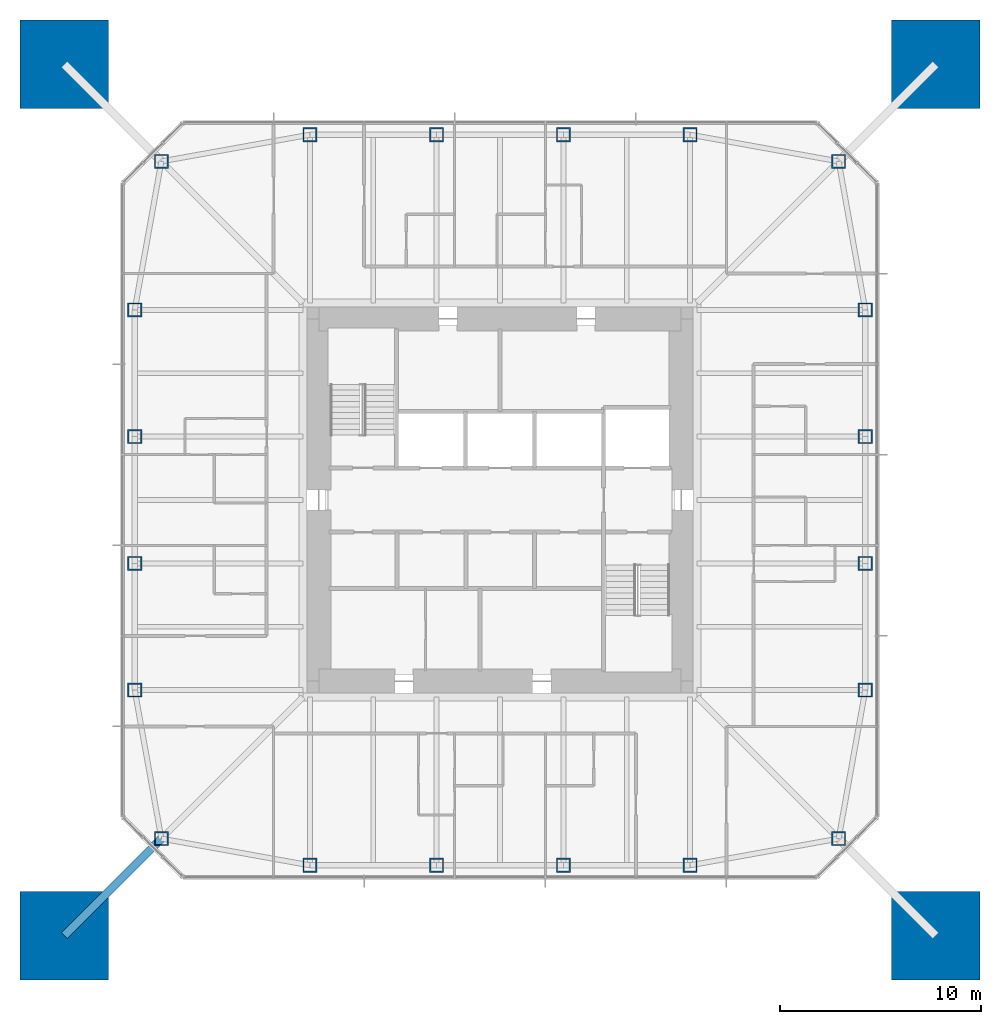
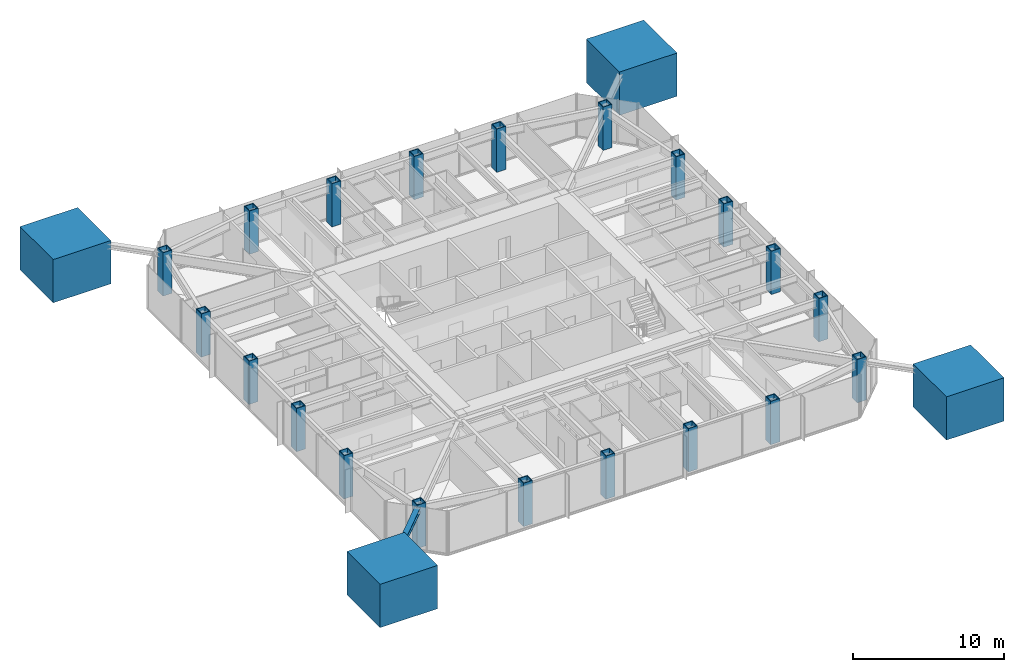
# One storey, part 1 of 11: 24 columns, 1 member.
"""IFC4 building model written with IfcOpenShell, lengths in metres."""

from ifc_helpers import new_model, si_unit, direction, frame, origin, origin_2d, place, context, subcontext, project, spatial, rectangle, hollow_rectangle, i_section, extrude, material, material_profile, profile_set, type_object, element, save


model = new_model("IFC4")

# Units and contexts
model_context = context("Model", 3, precision=1e-05, world=origin(), true_north=direction((0.0, 1.0)))
body_context = subcontext(model_context, "Body", "Model", "MODEL_VIEW")
ifc_project = project(units=[si_unit("LENGTHUNIT", "METRE"), si_unit("AREAUNIT", "SQUARE_METRE"), si_unit("VOLUMEUNIT", "CUBIC_METRE"), si_unit("PLANEANGLEUNIT", "RADIAN"), si_unit("MASSUNIT", "GRAM", prefix="KILO")], contexts=[model_context])

# Site, building, storey
site_placement = place(None, origin())
site = spatial("IfcSite", under=ifc_project, at=site_placement, CompositionType="ELEMENT")
building_placement = place(site_placement, origin())
building = spatial("IfcBuilding", under=site, at=building_placement, Name="Iwan Alto Co-Living Towers", CompositionType="ELEMENT")
storey_placement = place(building_placement, frame((0.0, 0.0, 170.5)))
storey = spatial("IfcBuildingStorey", under=building, at=storey_placement, Name="L46", CompositionType="ELEMENT", Elevation=170.5)

# Columns
ifc_material_1 = material(Name="Concrete f'c 70 MPa", Category="concrete")
ifc_material_profile_1 = material_profile(ifc_material_1, rectangle(XDim=4.39990234375, YDim=4.39990234375, at=origin_2d()), Name="RC 4400X4400")
ifc_profile_set_1 = profile_set([ifc_material_profile_1], Name="Concrete f'c 70 MPa")
column_type_1 = type_object("IfcColumnType", Name="T1 MEGA COLUMN RC 4400X4400", PredefinedType="COLUMN", material=ifc_profile_set_1)
for number, where, z_axis, x_axis, name in (
    (1, (-21.64990234375, -21.64990234375, 0.0), (0.0, 0.0, 1.0), (1.0, 0.0, 0.0), "T1 mega column SW L46"),
    (2, (21.64990234375, -21.64990234375, 0.0), (0.0, 0.0, 1.0), (1.0, 0.0, 0.0), "T1 mega column SE L46"),
    (3, (21.64990234375, 21.64990234375, 0.0), (0.0, 0.0, 1.0), (1.0, 0.0, 0.0), "T1 mega column NE L46"),
    (4, (-21.64990234375, 21.64990234375, 0.0), (0.0, 0.0, 1.0), (1.0, 0.0, 0.0), "T1 mega column NW L46"),
):
    element("IfcColumn", number, at=place(storey_placement, frame(where, z_axis=z_axis, x_axis=x_axis)), inside=storey, type_object=column_type_1, Name=name, PredefinedType="COLUMN", context=body_context, shape_type="SweptSolid", body=[
        extrude(rectangle(XDim=4.39990234375, YDim=4.39990234375, at=origin_2d()), origin(), (0.0, 0.0, 1.0), 3.5),
        extrude(i_section(OverallWidth=0.4775390625, OverallDepth=0.599365234375, WebThickness=0.10009765625, FlangeThickness=0.139892578125, at=origin_2d()), origin(), (0.0, 0.0, 1.0), 3.5),
    ])
ifc_material_2 = material(Name="Steel ASTM A572 Gr 50", Category="steel")
ifc_material_profile_2 = material_profile(ifc_material_2, hollow_rectangle(XDim=0.699951171875, YDim=0.699951171875, WallThickness=0.06005859375, at=origin_2d()), Name="BOX 700X700X60")
ifc_profile_set_2 = profile_set([ifc_material_profile_2], Name="Steel ASTM A572 Gr 50")
column_type_2 = type_object("IfcColumnType", Name="T1 RING COLUMN BOX 700X700X60", PredefinedType="COLUMN", material=ifc_profile_set_2)
for number, where, z_axis, x_axis, name in (
    (5, (-16.82568359375, -16.82568359375, 0.0), (0.0, 0.0, 1.0), (1.0, 0.0, 0.0), "T1 ring column CSW L46"),
    (6, (-9.449951171875, -18.14990234375, 0.0), (0.0, 0.0, 1.0), (1.0, 0.0, 0.0), "T1 ring column S1 L46"),
    (7, (-3.14990234375, -18.14990234375, 0.0), (0.0, 0.0, 1.0), (1.0, 0.0, 0.0), "T1 ring column S2 L46"),
    (8, (3.14990234375, -18.14990234375, 0.0), (0.0, 0.0, 1.0), (1.0, 0.0, 0.0), "T1 ring column S3 L46"),
    (9, (9.449951171875, -18.14990234375, 0.0), (0.0, 0.0, 1.0), (1.0, 0.0, 0.0), "T1 ring column S4 L46"),
    (10, (16.82568359375, -16.82568359375, 0.0), (0.0, 0.0, 1.0), (1.0, 0.0, 0.0), "T1 ring column CSE L46"),
    (11, (18.14990234375, -9.449951171875, 0.0), (0.0, 0.0, 1.0), (1.0, 0.0, 0.0), "T1 ring column E1 L46"),
    (12, (18.14990234375, -3.14990234375, 0.0), (0.0, 0.0, 1.0), (1.0, 0.0, 0.0), "T1 ring column E2 L46"),
    (13, (18.14990234375, 3.14990234375, 0.0), (0.0, 0.0, 1.0), (1.0, 0.0, 0.0), "T1 ring column E3 L46"),
    (14, (18.14990234375, 9.449951171875, 0.0), (0.0, 0.0, 1.0), (1.0, 0.0, 0.0), "T1 ring column E4 L46"),
    (15, (16.82568359375, 16.82568359375, 0.0), (0.0, 0.0, 1.0), (1.0, 0.0, 0.0), "T1 ring column CNE L46"),
    (16, (9.449951171875, 18.14990234375, 0.0), (0.0, 0.0, 1.0), (1.0, 0.0, 0.0), "T1 ring column N1 L46"),
    (17, (3.14990234375, 18.14990234375, 0.0), (0.0, 0.0, 1.0), (1.0, 0.0, 0.0), "T1 ring column N2 L46"),
    (18, (-3.14990234375, 18.14990234375, 0.0), (0.0, 0.0, 1.0), (1.0, 0.0, 0.0), "T1 ring column N3 L46"),
    (19, (-9.449951171875, 18.14990234375, 0.0), (0.0, 0.0, 1.0), (1.0, 0.0, 0.0), "T1 ring column N4 L46"),
    (20, (-16.82568359375, 16.82568359375, 0.0), (0.0, 0.0, 1.0), (1.0, 0.0, 0.0), "T1 ring column CNW L46"),
    (21, (-18.14990234375, 9.449951171875, 0.0), (0.0, 0.0, 1.0), (1.0, 0.0, 0.0), "T1 ring column W1 L46"),
    (22, (-18.14990234375, 3.14990234375, 0.0), (0.0, 0.0, 1.0), (1.0, 0.0, 0.0), "T1 ring column W2 L46"),
    (23, (-18.14990234375, -3.14990234375, 0.0), (0.0, 0.0, 1.0), (1.0, 0.0, 0.0), "T1 ring column W3 L46"),
    (24, (-18.14990234375, -9.449951171875, 0.0), (0.0, 0.0, 1.0), (1.0, 0.0, 0.0), "T1 ring column W4 L46"),
):
    element("IfcColumn", number, at=place(storey_placement, frame(where, z_axis=z_axis, x_axis=x_axis)), inside=storey, type_object=column_type_2, Name=name, PredefinedType="COLUMN", context=body_context, shape_type="SweptSolid", body=[
        extrude(hollow_rectangle(XDim=0.699951171875, YDim=0.699951171875, WallThickness=0.06005859375, at=origin_2d()), origin(), (0.0, 0.0, 1.0), 3.5),
    ])

# Member
ifc_material_3 = material(Name="Steel ASTM A992 Gr 50", Category="steel")
ifc_material_profile_3 = material_profile(ifc_material_3, i_section(OverallWidth=0.393798828125, OverallDepth=0.3759765625, WebThickness=0.017333984375, FlangeThickness=0.027587890625, at=origin_2d()), Name="W14X145")
ifc_profile_set_3 = profile_set([ifc_material_profile_3], Name="Steel ASTM A992 Gr 50")
member_type = type_object("IfcMemberType", Name="T1 MEGA COLUMN FLOOR TIE W14X145", PredefinedType="STRUT", material=ifc_profile_set_3)
member_placement = place(storey_placement, frame((-21.64990234375, -21.64990234375, 3.08203125), z_axis=(0.707106781187, 0.707106781187, 0.0), x_axis=(-0.707106781187, 0.707106781187, 0.0)))
element("IfcMember", 25, at=member_placement, inside=storey, type_object=member_type, Name="T1 mega column floor tie SW L47", PredefinedType="STRUT", context=body_context, shape_type="SweptSolid", body=[
    extrude(i_section(OverallWidth=0.393798828125, OverallDepth=0.3759765625, WebThickness=0.017333984375, FlangeThickness=0.027587890625, at=origin_2d()), origin(), (0.0, 0.0, 1.0), 6.822509765625),
])

save(model, "model.ifc")
